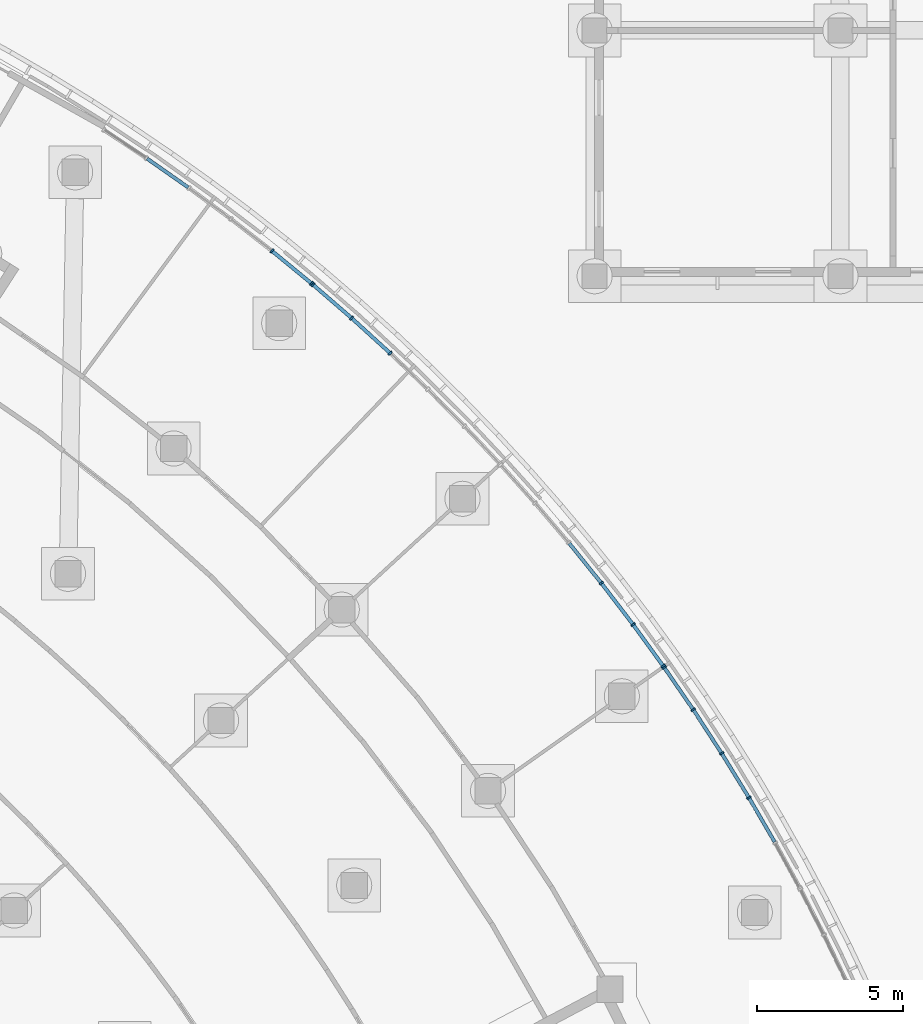
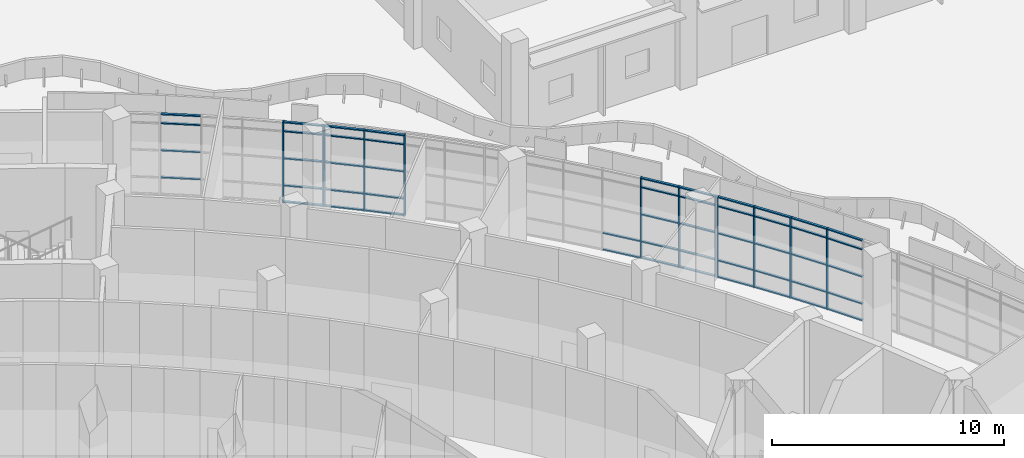
# One storey, part 37 of 146: 63 members, 4 elements without a shape of their own.
"""IFC4 building model written with IfcOpenShell, lengths in metres."""

import ifcopenshell
import ifcopenshell.guid

model = None  # the IFC model being written
_history = None  # IfcOwnerHistory: only IFC2X3 demands one
_inside = {}  # id of a spatial element -> (the spatial element, [elements in it])
_under = {}  # id of a project, library or spatial element -> (it, [spatial elements below it])
_declared = {}  # id of a project -> (the project, [libraries it declares])
_typed = {}  # id of a type object -> (the type object, [elements of that type])
_made_of = {}  # id of a material, layer set ... -> (it, [elements and type objects made of it])


def new_model(schema):
    """Start an empty IFC model of exactly this schema.

    Asked for "IFC4X3", IfcOpenShell would pick the latest addendum, in which some entities
    have other attributes; the version numbers below select the first issue.
    IFC2X3 requires an IfcOwnerHistory on every rooted entity: one is made here for all.
    """
    global model, _history
    if schema == "IFC4X3":
        model = ifcopenshell.file(schema_version=(4, 3, 0, 0))
    else:
        model = ifcopenshell.file(schema=schema)
    _inside.clear()
    _under.clear()
    _declared.clear()
    _typed.clear()
    _made_of.clear()
    _history = None
    if model.schema == "IFC2X3":
        org = make("IfcOrganization", Name="unknown")
        user = make(
            "IfcPersonAndOrganization",
            ThePerson=make("IfcPerson", FamilyName="unknown"),
            TheOrganization=org,
        )
        app = make(
            "IfcApplication",
            ApplicationDeveloper=org,
            Version="unknown",
            ApplicationFullName="unknown",
            ApplicationIdentifier="unknown",
        )
        _history = make(
            "IfcOwnerHistory",
            OwningUser=user,
            OwningApplication=app,
            ChangeAction="ADDED",
            CreationDate=0,
        )
    return model


def make(cls, **values):
    """One entity of the class cls with the attributes given. An attribute that is None is left unset."""
    return model.create_entity(
        cls, **{name: value for name, value in values.items() if value is not None}
    )


def rooted(cls, **values):
    """An entity with a GlobalId (a new one), such as an element, a storey or a relation."""
    return make(cls, GlobalId=ifcopenshell.guid.new(), OwnerHistory=_history, **values)


def si_unit(unit_type, name, prefix=None):
    """IfcSIUnit, for example si_unit("LENGTHUNIT", "METRE", prefix="MILLI")."""
    return make("IfcSIUnit", UnitType=unit_type, Prefix=prefix, Name=name)


def assignment(units):
    """IfcUnitAssignment: the units of a project."""
    return None if units is None else make("IfcUnitAssignment", Units=units)


def point(xyz):
    """IfcCartesianPoint."""
    return None if xyz is None else make("IfcCartesianPoint", Coordinates=xyz)


def direction(xyz):
    """IfcDirection."""
    return None if xyz is None else make("IfcDirection", DirectionRatios=xyz)


def frame(location, z_axis=None, x_axis=None):
    """IfcAxis2Placement3D, a coordinate frame: its origin and axes. An axis left out is left unset."""
    return make(
        "IfcAxis2Placement3D",
        Location=point(location),
        Axis=direction(z_axis),
        RefDirection=direction(x_axis),
    )


def frame_2d(location, x_axis=None):
    """IfcAxis2Placement2D, a coordinate frame in the plane: its origin and x axis."""
    return make(
        "IfcAxis2Placement2D", Location=point(location), RefDirection=direction(x_axis)
    )


def origin():
    """The frame at (0, 0, 0) with its axes left unset."""
    return frame((0.0, 0.0, 0.0))


def origin_2d():
    """The frame at (0, 0) in the plane with its x axis left unset."""
    return frame_2d((0.0, 0.0))


def place(relative_to, where):
    """IfcLocalPlacement: puts the frame where relative to a parent placement (None: the world)."""
    return make(
        "IfcLocalPlacement", PlacementRelTo=relative_to, RelativePlacement=where
    )


def context(
    kind, dimensions, precision=None, world=None, true_north=None, identifier=None
):
    """IfcGeometricRepresentationContext, for example the 3D "Model" context."""
    return make(
        "IfcGeometricRepresentationContext",
        ContextIdentifier=identifier,
        ContextType=kind,
        CoordinateSpaceDimension=dimensions,
        Precision=precision,
        WorldCoordinateSystem=world,
        TrueNorth=true_north,
    )


def subcontext(parent, identifier, kind, view, scale=None):
    """IfcGeometricRepresentationSubContext, for example "Body" below "Model"."""
    return make(
        "IfcGeometricRepresentationSubContext",
        ContextIdentifier=identifier,
        ContextType=kind,
        ParentContext=parent,
        TargetScale=scale,
        TargetView=view,
    )


def project(units=None, contexts=None):
    """IfcProject with its units and contexts."""
    return rooted(
        "IfcProject",
        Name="project",
        RepresentationContexts=contexts,
        UnitsInContext=assignment(units),
    )


def spatial(cls, under=None, at=None, **own):
    """A site, building, storey or space (cls), placed at a placement, below another one or the project."""
    s = rooted(cls, ObjectPlacement=at, **own)
    if under is not None:
        _under.setdefault(under.id(), (under, []))[1].append(s)
    return s


def profile(cls, at=None, kind="AREA", **sizes):
    """A parametric profile (cls). Its sizes go by their IFC names, for example OverallWidth=200.0."""
    return make(cls, ProfileType=kind, Position=at, **sizes)


def rectangle(**sizes):
    """IfcRectangleProfileDef."""
    return profile("IfcRectangleProfileDef", **sizes)


def extrude(swept, where, along, depth):
    """IfcExtrudedAreaSolid: the profile swept, set in the frame where, extruded along a direction by depth."""
    return make(
        "IfcExtrudedAreaSolid",
        SweptArea=swept,
        Position=where,
        ExtrudedDirection=direction(along),
        Depth=depth,
    )


def shape(context_of_items, identifier, shape_type, items):
    """IfcShapeRepresentation: the items that make up one representation, for example the "Body"."""
    return make(
        "IfcShapeRepresentation",
        ContextOfItems=context_of_items,
        RepresentationIdentifier=identifier,
        RepresentationType=shape_type,
        Items=items,
    )


def material(Name=None, Category=None):
    """IfcMaterial."""
    return make("IfcMaterial", Name=Name, Category=Category)


def material_profile(
    of_material, cross_section, Name=None, Category=None, Priority=None
):
    """IfcMaterialProfile: a cross section and its material."""
    return make(
        "IfcMaterialProfile",
        Name=Name,
        Material=of_material,
        Profile=cross_section,
        Priority=Priority,
        Category=Category,
    )


def profile_set(profiles, Name=None, composite=None):
    """IfcMaterialProfileSet."""
    return make(
        "IfcMaterialProfileSet",
        Name=Name,
        MaterialProfiles=profiles,
        CompositeProfile=composite,
    )


def made_of(thing, what):
    """Note that an element or type object is made of a material, layer set ...; save() writes the relation."""
    if what is not None:
        _made_of.setdefault(what.id(), (what, []))[1].append(thing)
    return thing


def type_object(cls, material=None, **own):
    """A type object (cls), such as IfcWallType, which elements share."""
    return made_of(rooted(cls, **own), material)


def element(
    cls,
    number,
    at=None,
    inside=None,
    cuts=None,
    type_object=None,
    material=None,
    context=None,
    identifier="Body",
    shape_type=None,
    held_by="IfcProductDefinitionShape",
    body=None,
    shapes=None,
    **own,
):
    """One element of the class cls, such as IfcWall. Its Tag is "e" and its number.

    at: its placement. inside: the storey or other place that contains it. cuts: it is an
    opening in that element (IfcRelVoidsElement). A single representation is given by context,
    identifier, shape_type and body (its items); several are given by shapes. held_by: the class
    of the entity that holds the representations. save() writes the other relations.
    """
    e = rooted(cls, Tag="e%d" % number, ObjectPlacement=at, **own)
    if body is not None:
        shapes = [shape(context, identifier, shape_type, body)]
    if shapes is not None:
        e.Representation = make(held_by, Representations=shapes)
    if inside is not None:
        _inside.setdefault(inside.id(), (inside, []))[1].append(e)
    if cuts is not None:
        rooted(
            "IfcRelVoidsElement", RelatingBuildingElement=cuts, RelatedOpeningElement=e
        )
    if type_object is not None:
        _typed.setdefault(type_object.id(), (type_object, []))[1].append(e)
    return made_of(e, material)


def aggregate(whole, parts):
    """IfcRelAggregates: a whole, such as a stair, and the parts it consists of."""
    return rooted("IfcRelAggregates", RelatingObject=whole, RelatedObjects=parts)


def save(model, path):
    """Write the relations noted so far, then the file.

    IfcRelAggregates (storeys below a building ...), IfcRelContainedInSpatialStructure (elements
    in a storey), IfcRelDefinesByType, IfcRelAssociatesMaterial and IfcRelDeclares: one each for
    every whole, place, type object, material and project.
    """
    for whole, parts in _under.values():
        aggregate(whole, parts)
    for where, things in _inside.values():
        rooted(
            "IfcRelContainedInSpatialStructure",
            RelatedElements=things,
            RelatingStructure=where,
        )
    for kind, things in _typed.values():
        rooted("IfcRelDefinesByType", RelatedObjects=things, RelatingType=kind)
    for what, things in _made_of.values():
        rooted("IfcRelAssociatesMaterial", RelatedObjects=things, RelatingMaterial=what)
    for by, libraries in _declared.values():
        rooted("IfcRelDeclares", RelatingContext=by, RelatedDefinitions=libraries)
    model.write(path)


model = new_model("IFC4")

# Units and contexts
model_context = context("Model", 3, precision=1e-05, world=origin(), true_north=direction((0.0, 1.0)))
body_context = subcontext(model_context, "Body", "Model", "MODEL_VIEW")
ifc_project = project(units=[si_unit("LENGTHUNIT", "METRE"), si_unit("AREAUNIT", "SQUARE_METRE"), si_unit("VOLUMEUNIT", "CUBIC_METRE"), si_unit("PLANEANGLEUNIT", "RADIAN"), si_unit("MASSUNIT", "GRAM", prefix="KILO")], contexts=[model_context])

# Site, building, storey
site_placement = place(None, origin())
site = spatial("IfcSite", under=ifc_project, at=site_placement, CompositionType="ELEMENT")
building_placement = place(site_placement, origin())
building = spatial("IfcBuilding", under=site, at=building_placement, Name="Bougainvillea Quay General Hospital", CompositionType="ELEMENT")
storey_placement = place(building_placement, origin())
storey = spatial("IfcBuildingStorey", under=building, at=storey_placement, Name="L00", CompositionType="ELEMENT", Elevation=0.0)

# Curtain wall, members
ifc_material_1 = material(Name="Aluminium curtain wall system, powder-coated glazed", Category="aluminium")
curtain_wall_type = type_object("IfcCurtainWallType", Name="Unitised curtain wall CW-2100", PredefinedType="NOTDEFINED", material=ifc_material_1)
curtain_wall_1_placement = place(storey_placement, origin())
curtain_wall_1 = element("IfcCurtainWall", 1, at=curtain_wall_1_placement, inside=storey, type_object=curtain_wall_type, Name="CW-E02 a23b1", PredefinedType="NOTDEFINED")
ifc_material_2 = material(Name="Aluminium mullion, powder-coated charcoal", Category="aluminium")
ifc_material_profile_1 = material_profile(ifc_material_2, rectangle(XDim=0.159912109375, YDim=0.06005859375, at=origin_2d()))
ifc_profile_set_1 = profile_set([ifc_material_profile_1], Name="Aluminium mullion, powder-coated charcoal")
member_type_1 = type_object("IfcMemberType", Name="Curtain wall mullion 160x60", PredefinedType="MULLION", material=ifc_profile_set_1)
member_1_placement = place(storey_placement, frame((152.7744140625, 76.464599609375, 0.0), z_axis=(0.0, 0.0, 1.0), x_axis=(0.624719466473, 0.780849273682, 0.0)))
member_1 = element("IfcMember", 2, at=member_1_placement, type_object=member_type_1, Name="CW-E02 mullion 5", PredefinedType="MULLION", context=body_context, shape_type="SweptSolid", body=[
    extrude(rectangle(XDim=0.159912109375, YDim=0.06005859375, at=origin_2d()), origin(), (0.0, 0.0, 1.0), 4.25),
])
member_2_placement = place(storey_placement, frame((154.127197265625, 75.353759765625, 0.0), z_axis=(0.0, 0.0, 1.0), x_axis=(0.634633403626, 0.772813329985, 0.0)))
member_2 = element("IfcMember", 3, at=member_2_placement, type_object=member_type_1, Name="CW-E02 mullion 6", PredefinedType="MULLION", context=body_context, shape_type="SweptSolid", body=[
    extrude(rectangle(XDim=0.159912109375, YDim=0.06005859375, at=origin_2d()), origin(), (0.0, 0.0, 1.0), 4.25),
])

curtain_wall_2_placement = place(storey_placement, origin())
curtain_wall_2 = element("IfcCurtainWall", 4, at=curtain_wall_2_placement, inside=storey, type_object=curtain_wall_type, Name="CW-E03 a23b2", PredefinedType="NOTDEFINED")
member_3_placement = place(storey_placement, frame((154.1728515625, 75.315185546875, 0.0), z_axis=(0.0, 0.0, 1.0), x_axis=(0.65414960613, 0.756365184815, 0.0)))
member_3 = element("IfcMember", 5, at=member_3_placement, type_object=member_type_1, Name="CW-E03 mullion 1", PredefinedType="MULLION", context=body_context, shape_type="SweptSolid", body=[
    extrude(rectangle(XDim=0.159912109375, YDim=0.06005859375, at=origin_2d()), origin(), (0.0, 0.0, 1.0), 4.25),
])
member_4_placement = place(storey_placement, frame((155.496826171875, 74.170166015625, 0.0), z_axis=(0.0, 0.0, 1.0), x_axis=(0.663748693022, 0.747955662129, 0.0)))
member_4 = element("IfcMember", 6, at=member_4_placement, type_object=member_type_1, Name="CW-E03 mullion 2", PredefinedType="MULLION", context=body_context, shape_type="SweptSolid", body=[
    extrude(rectangle(XDim=0.159912109375, YDim=0.06005859375, at=origin_2d()), origin(), (0.0, 0.0, 1.0), 4.25),
])
member_5_placement = place(storey_placement, frame((156.813232421875, 72.9716796875, 0.0), z_axis=(0.0, 0.0, 1.0), x_axis=(0.682621021685, 0.730772564314, 0.0)))
member_5 = element("IfcMember", 7, at=member_5_placement, type_object=member_type_1, Name="CW-E03 mullion 3", PredefinedType="MULLION", context=body_context, shape_type="SweptSolid", body=[
    extrude(rectangle(XDim=0.159912109375, YDim=0.06005859375, at=origin_2d()), origin(), (0.0, 0.0, 1.0), 4.25),
])

curtain_wall_3_placement = place(storey_placement, origin())
curtain_wall_3 = element("IfcCurtainWall", 8, at=curtain_wall_3_placement, inside=storey, type_object=curtain_wall_type, Name="CW-E04 a23b3", PredefinedType="NOTDEFINED")
member_6_placement = place(storey_placement, frame((164.03125, 65.112060546875, 0.0), z_axis=(0.0, 0.0, 1.0), x_axis=(0.786107232438, 0.618090138337, 0.0)))
member_6 = element("IfcMember", 9, at=member_6_placement, type_object=member_type_1, Name="CW-E04 mullion 4", PredefinedType="MULLION", context=body_context, shape_type="SweptSolid", body=[
    extrude(rectangle(XDim=0.159912109375, YDim=0.06005859375, at=origin_2d()), origin(), (0.0, 0.0, 1.0), 4.25),
])
member_7_placement = place(storey_placement, frame((165.11376953125, 63.69873046875, 0.0), z_axis=(0.0, 0.0, 1.0), x_axis=(0.801625419341, 0.597826636297, 0.0)))
member_7 = element("IfcMember", 10, at=member_7_placement, type_object=member_type_1, Name="CW-E04 mullion 5", PredefinedType="MULLION", context=body_context, shape_type="SweptSolid", body=[
    extrude(rectangle(XDim=0.159912109375, YDim=0.06005859375, at=origin_2d()), origin(), (0.0, 0.0, 1.0), 4.25),
])
member_8_placement = place(storey_placement, frame((166.14208984375, 62.282470703125, 0.0), z_axis=(0.0, 0.0, 1.0), x_axis=(0.809189307232, 0.587548010856, 0.0)))
member_8 = element("IfcMember", 11, at=member_8_placement, type_object=member_type_1, Name="CW-E04 mullion 6", PredefinedType="MULLION", context=body_context, shape_type="SweptSolid", body=[
    extrude(rectangle(XDim=0.159912109375, YDim=0.06005859375, at=origin_2d()), origin(), (0.0, 0.0, 1.0), 4.25),
])

curtain_wall_4_placement = place(storey_placement, origin())
curtain_wall_4 = element("IfcCurtainWall", 12, at=curtain_wall_4_placement, inside=storey, type_object=curtain_wall_type, Name="CW-E05 a23b4", PredefinedType="NOTDEFINED")
member_9_placement = place(storey_placement, frame((166.1767578125, 62.2333984375, 0.0), z_axis=(0.0, 0.0, 1.0), x_axis=(0.823920512723, 0.566705380876, 0.0)))
member_9 = element("IfcMember", 13, at=member_9_placement, type_object=member_type_1, Name="CW-E05 mullion 1", PredefinedType="MULLION", context=body_context, shape_type="SweptSolid", body=[
    extrude(rectangle(XDim=0.159912109375, YDim=0.06005859375, at=origin_2d()), origin(), (0.0, 0.0, 1.0), 4.25),
])
member_10_placement = place(storey_placement, frame((167.168701171875, 60.791259765625, 0.0), z_axis=(0.0, 0.0, 1.0), x_axis=(0.831085431161, 0.556144770821, 0.0)))
member_10 = element("IfcMember", 14, at=member_10_placement, type_object=member_type_1, Name="CW-E05 mullion 2", PredefinedType="MULLION", context=body_context, shape_type="SweptSolid", body=[
    extrude(rectangle(XDim=0.159912109375, YDim=0.06005859375, at=origin_2d()), origin(), (0.0, 0.0, 1.0), 4.25),
])
member_11_placement = place(storey_placement, frame((168.1396484375, 59.29931640625, 0.0), z_axis=(0.0, 0.0, 1.0), x_axis=(0.84500806513, 0.534753559937, 0.0)))
member_11 = element("IfcMember", 15, at=member_11_placement, type_object=member_type_1, Name="CW-E05 mullion 3", PredefinedType="MULLION", context=body_context, shape_type="SweptSolid", body=[
    extrude(rectangle(XDim=0.159912109375, YDim=0.06005859375, at=origin_2d()), origin(), (0.0, 0.0, 1.0), 4.25),
])
member_12_placement = place(storey_placement, frame((169.072509765625, 57.782958984375, 0.0), z_axis=(0.0, 0.0, 1.0), x_axis=(0.858380240869, 0.513013997943, 0.0)))
member_12 = element("IfcMember", 16, at=member_12_placement, type_object=member_type_1, Name="CW-E05 mullion 4", PredefinedType="MULLION", context=body_context, shape_type="SweptSolid", body=[
    extrude(rectangle(XDim=0.159912109375, YDim=0.06005859375, at=origin_2d()), origin(), (0.0, 0.0, 1.0), 4.25),
])

# Member
ifc_material_3 = material(Name="Aluminium transom, powder-coated charcoal", Category="aluminium")
ifc_material_profile_2 = material_profile(ifc_material_3, rectangle(XDim=0.1201171875, YDim=0.06005859375, at=origin_2d()))
ifc_profile_set_2 = profile_set([ifc_material_profile_2], Name="Aluminium transom, powder-coated charcoal")
member_type_2 = type_object("IfcMemberType", Name="Curtain wall transom 120x60", PredefinedType="USERDEFINED", material=ifc_profile_set_2)
member_13_placement = place(storey_placement, frame((148.505126953125, 79.62109375, 0.89990234375), z_axis=(0.819078530526, -0.573681410568, 0.0), x_axis=(0.573681410568, 0.819078530526, 0.0)))
member_13 = element("IfcMember", 17, at=member_13_placement, type_object=member_type_2, Name="CW-E02 transom 2.2", ObjectType="TRANSOM", PredefinedType="USERDEFINED", context=body_context, shape_type="SweptSolid", body=[
    extrude(rectangle(XDim=0.1201171875, YDim=0.06005859375, at=origin_2d()), origin(), (0.0, 0.0, 1.0), 1.72021484375),
])

member_14_placement = place(storey_placement, frame((148.505126953125, 79.62109375, 2.324951171875), z_axis=(0.819078530526, -0.573681410568, 0.0), x_axis=(0.573681410568, 0.819078530526, 0.0)))
member_14 = element("IfcMember", 18, at=member_14_placement, type_object=member_type_2, Name="CW-E02 transom 2.3", ObjectType="TRANSOM", PredefinedType="USERDEFINED", context=body_context, shape_type="SweptSolid", body=[
    extrude(rectangle(XDim=0.1201171875, YDim=0.06005859375, at=origin_2d()), origin(), (0.0, 0.0, 1.0), 1.72021484375),
])

member_15_placement = place(storey_placement, frame((148.505126953125, 79.62109375, 3.75), z_axis=(0.819078530526, -0.573681410568, 0.0), x_axis=(0.573681410568, 0.819078530526, 0.0)))
member_15 = element("IfcMember", 19, at=member_15_placement, type_object=member_type_2, Name="CW-E02 transom 2.4", ObjectType="TRANSOM", PredefinedType="USERDEFINED", context=body_context, shape_type="SweptSolid", body=[
    extrude(rectangle(XDim=0.1201171875, YDim=0.06005859375, at=origin_2d()), origin(), (0.0, 0.0, 1.0), 1.72021484375),
])

member_16_placement = place(storey_placement, frame((148.505126953125, 79.62109375, 4.219970703125), z_axis=(0.819078530526, -0.573681410568, 0.0), x_axis=(0.573681410568, 0.819078530526, 0.0)))
member_16 = element("IfcMember", 20, at=member_16_placement, type_object=member_type_2, Name="CW-E02 transom 2.5", ObjectType="TRANSOM", PredefinedType="USERDEFINED", context=body_context, shape_type="SweptSolid", body=[
    extrude(rectangle(XDim=0.1201171875, YDim=0.06005859375, at=origin_2d()), origin(), (0.0, 0.0, 1.0), 1.72021484375),
])

member_17_placement = place(storey_placement, frame((152.797607421875, 76.445556640625, 0.030029296875), z_axis=(0.7728299722, -0.634613137329, 0.0), x_axis=(0.634613137329, 0.7728299722, 0.0)))
member_17 = element("IfcMember", 21, at=member_17_placement, type_object=member_type_2, Name="CW-E02 transom 5.1", ObjectType="TRANSOM", PredefinedType="USERDEFINED", context=body_context, shape_type="SweptSolid", body=[
    extrude(rectangle(XDim=0.1201171875, YDim=0.06005859375, at=origin_2d()), origin(), (0.0, 0.0, 1.0), 1.6904296875),
])

member_18_placement = place(storey_placement, frame((152.797607421875, 76.445556640625, 0.89990234375), z_axis=(0.7728299722, -0.634613137329, 0.0), x_axis=(0.634613137329, 0.7728299722, 0.0)))
member_18 = element("IfcMember", 22, at=member_18_placement, type_object=member_type_2, Name="CW-E02 transom 5.2", ObjectType="TRANSOM", PredefinedType="USERDEFINED", context=body_context, shape_type="SweptSolid", body=[
    extrude(rectangle(XDim=0.1201171875, YDim=0.06005859375, at=origin_2d()), origin(), (0.0, 0.0, 1.0), 1.6904296875),
])

member_19_placement = place(storey_placement, frame((152.797607421875, 76.445556640625, 2.324951171875), z_axis=(0.7728299722, -0.634613137329, 0.0), x_axis=(0.634613137329, 0.7728299722, 0.0)))
member_19 = element("IfcMember", 23, at=member_19_placement, type_object=member_type_2, Name="CW-E02 transom 5.3", ObjectType="TRANSOM", PredefinedType="USERDEFINED", context=body_context, shape_type="SweptSolid", body=[
    extrude(rectangle(XDim=0.1201171875, YDim=0.06005859375, at=origin_2d()), origin(), (0.0, 0.0, 1.0), 1.6904296875),
])

member_20_placement = place(storey_placement, frame((152.797607421875, 76.445556640625, 3.75), z_axis=(0.7728299722, -0.634613137329, 0.0), x_axis=(0.634613137329, 0.7728299722, 0.0)))
member_20 = element("IfcMember", 24, at=member_20_placement, type_object=member_type_2, Name="CW-E02 transom 5.4", ObjectType="TRANSOM", PredefinedType="USERDEFINED", context=body_context, shape_type="SweptSolid", body=[
    extrude(rectangle(XDim=0.1201171875, YDim=0.06005859375, at=origin_2d()), origin(), (0.0, 0.0, 1.0), 1.6904296875),
])

member_21_placement = place(storey_placement, frame((152.797607421875, 76.445556640625, 4.219970703125), z_axis=(0.7728299722, -0.634613137329, 0.0), x_axis=(0.634613137329, 0.7728299722, 0.0)))
member_21 = element("IfcMember", 25, at=member_21_placement, type_object=member_type_2, Name="CW-E02 transom 5.5", ObjectType="TRANSOM", PredefinedType="USERDEFINED", context=body_context, shape_type="SweptSolid", body=[
    extrude(rectangle(XDim=0.1201171875, YDim=0.06005859375, at=origin_2d()), origin(), (0.0, 0.0, 1.0), 1.6904296875),
])

aggregate(curtain_wall_1, [member_1, member_2, member_13, member_14, member_15, member_16, member_17, member_18, member_19, member_20, member_21])

member_22_placement = place(storey_placement, frame((154.195556640625, 75.295654296875, 0.030029296875), z_axis=(0.756384417211, -0.654127367873, 0.0), x_axis=(0.654127367873, 0.756384417211, 0.0)))
member_22 = element("IfcMember", 26, at=member_22_placement, type_object=member_type_2, Name="CW-E03 transom 1.1", ObjectType="TRANSOM", PredefinedType="USERDEFINED", context=body_context, shape_type="SweptSolid", body=[
    extrude(rectangle(XDim=0.1201171875, YDim=0.06005859375, at=origin_2d()), origin(), (0.0, 0.0, 1.0), 1.6904296875),
])

member_23_placement = place(storey_placement, frame((154.195556640625, 75.295654296875, 0.89990234375), z_axis=(0.756384417211, -0.654127367873, 0.0), x_axis=(0.654127367873, 0.756384417211, 0.0)))
member_23 = element("IfcMember", 27, at=member_23_placement, type_object=member_type_2, Name="CW-E03 transom 1.2", ObjectType="TRANSOM", PredefinedType="USERDEFINED", context=body_context, shape_type="SweptSolid", body=[
    extrude(rectangle(XDim=0.1201171875, YDim=0.06005859375, at=origin_2d()), origin(), (0.0, 0.0, 1.0), 1.6904296875),
])

member_24_placement = place(storey_placement, frame((154.195556640625, 75.295654296875, 2.324951171875), z_axis=(0.756384417211, -0.654127367873, 0.0), x_axis=(0.654127367873, 0.756384417211, 0.0)))
member_24 = element("IfcMember", 28, at=member_24_placement, type_object=member_type_2, Name="CW-E03 transom 1.3", ObjectType="TRANSOM", PredefinedType="USERDEFINED", context=body_context, shape_type="SweptSolid", body=[
    extrude(rectangle(XDim=0.1201171875, YDim=0.06005859375, at=origin_2d()), origin(), (0.0, 0.0, 1.0), 1.6904296875),
])

member_25_placement = place(storey_placement, frame((154.195556640625, 75.295654296875, 3.75), z_axis=(0.756384417211, -0.654127367873, 0.0), x_axis=(0.654127367873, 0.756384417211, 0.0)))
member_25 = element("IfcMember", 29, at=member_25_placement, type_object=member_type_2, Name="CW-E03 transom 1.4", ObjectType="TRANSOM", PredefinedType="USERDEFINED", context=body_context, shape_type="SweptSolid", body=[
    extrude(rectangle(XDim=0.1201171875, YDim=0.06005859375, at=origin_2d()), origin(), (0.0, 0.0, 1.0), 1.6904296875),
])

member_26_placement = place(storey_placement, frame((154.195556640625, 75.295654296875, 4.219970703125), z_axis=(0.756384417211, -0.654127367873, 0.0), x_axis=(0.654127367873, 0.756384417211, 0.0)))
member_26 = element("IfcMember", 30, at=member_26_placement, type_object=member_type_2, Name="CW-E03 transom 1.5", ObjectType="TRANSOM", PredefinedType="USERDEFINED", context=body_context, shape_type="SweptSolid", body=[
    extrude(rectangle(XDim=0.1201171875, YDim=0.06005859375, at=origin_2d()), origin(), (0.0, 0.0, 1.0), 1.6904296875),
])

member_27_placement = place(storey_placement, frame((155.51904296875, 74.150146484375, 0.030029296875), z_axis=(0.739400413082, -0.673265942354, 0.0), x_axis=(0.673265942354, 0.739400413082, 0.0)))
member_27 = element("IfcMember", 31, at=member_27_placement, type_object=member_type_2, Name="CW-E03 transom 2.1", ObjectType="TRANSOM", PredefinedType="USERDEFINED", context=body_context, shape_type="SweptSolid", body=[
    extrude(rectangle(XDim=0.1201171875, YDim=0.06005859375, at=origin_2d()), origin(), (0.0, 0.0, 1.0), 1.72021484375),
])

member_28_placement = place(storey_placement, frame((155.51904296875, 74.150146484375, 0.89990234375), z_axis=(0.739400413082, -0.673265942354, 0.0), x_axis=(0.673265942354, 0.739400413082, 0.0)))
member_28 = element("IfcMember", 32, at=member_28_placement, type_object=member_type_2, Name="CW-E03 transom 2.2", ObjectType="TRANSOM", PredefinedType="USERDEFINED", context=body_context, shape_type="SweptSolid", body=[
    extrude(rectangle(XDim=0.1201171875, YDim=0.06005859375, at=origin_2d()), origin(), (0.0, 0.0, 1.0), 1.72021484375),
])

member_29_placement = place(storey_placement, frame((155.51904296875, 74.150146484375, 2.324951171875), z_axis=(0.739400413082, -0.673265942354, 0.0), x_axis=(0.673265942354, 0.739400413082, 0.0)))
member_29 = element("IfcMember", 33, at=member_29_placement, type_object=member_type_2, Name="CW-E03 transom 2.3", ObjectType="TRANSOM", PredefinedType="USERDEFINED", context=body_context, shape_type="SweptSolid", body=[
    extrude(rectangle(XDim=0.1201171875, YDim=0.06005859375, at=origin_2d()), origin(), (0.0, 0.0, 1.0), 1.72021484375),
])

member_30_placement = place(storey_placement, frame((155.51904296875, 74.150146484375, 3.75), z_axis=(0.739400413082, -0.673265942354, 0.0), x_axis=(0.673265942354, 0.739400413082, 0.0)))
member_30 = element("IfcMember", 34, at=member_30_placement, type_object=member_type_2, Name="CW-E03 transom 2.4", ObjectType="TRANSOM", PredefinedType="USERDEFINED", context=body_context, shape_type="SweptSolid", body=[
    extrude(rectangle(XDim=0.1201171875, YDim=0.06005859375, at=origin_2d()), origin(), (0.0, 0.0, 1.0), 1.72021484375),
])

member_31_placement = place(storey_placement, frame((155.51904296875, 74.150146484375, 4.219970703125), z_axis=(0.739400413082, -0.673265942354, 0.0), x_axis=(0.673265942354, 0.739400413082, 0.0)))
member_31 = element("IfcMember", 35, at=member_31_placement, type_object=member_type_2, Name="CW-E03 transom 2.5", ObjectType="TRANSOM", PredefinedType="USERDEFINED", context=body_context, shape_type="SweptSolid", body=[
    extrude(rectangle(XDim=0.1201171875, YDim=0.06005859375, at=origin_2d()), origin(), (0.0, 0.0, 1.0), 1.72021484375),
])

aggregate(curtain_wall_2, [member_3, member_4, member_5, member_22, member_23, member_24, member_25, member_26, member_27, member_28, member_29, member_30, member_31])

member_32_placement = place(storey_placement, frame((162.93212890625, 66.47412109375, 0.030029296875), z_axis=(0.628029823491, -0.778189270554, 0.0), x_axis=(0.778189270554, 0.628029823491, 0.0)))
member_32 = element("IfcMember", 36, at=member_32_placement, type_object=member_type_2, Name="CW-E04 transom 3.1", ObjectType="TRANSOM", PredefinedType="USERDEFINED", context=body_context, shape_type="SweptSolid", body=[
    extrude(rectangle(XDim=0.1201171875, YDim=0.06005859375, at=origin_2d()), origin(), (0.0, 0.0, 1.0), 1.72021484375),
])

member_33_placement = place(storey_placement, frame((162.93212890625, 66.47412109375, 0.89990234375), z_axis=(0.628029823491, -0.778189270554, 0.0), x_axis=(0.778189270554, 0.628029823491, 0.0)))
member_33 = element("IfcMember", 37, at=member_33_placement, type_object=member_type_2, Name="CW-E04 transom 3.2", ObjectType="TRANSOM", PredefinedType="USERDEFINED", context=body_context, shape_type="SweptSolid", body=[
    extrude(rectangle(XDim=0.1201171875, YDim=0.06005859375, at=origin_2d()), origin(), (0.0, 0.0, 1.0), 1.72021484375),
])

member_34_placement = place(storey_placement, frame((164.049560546875, 65.08837890625, 0.030029296875), z_axis=(0.607939858347, -0.793983078304, 0.0), x_axis=(0.793983078304, 0.607939858347, 0.0)))
member_34 = element("IfcMember", 38, at=member_34_placement, type_object=member_type_2, Name="CW-E04 transom 4.1", ObjectType="TRANSOM", PredefinedType="USERDEFINED", context=body_context, shape_type="SweptSolid", body=[
    extrude(rectangle(XDim=0.1201171875, YDim=0.06005859375, at=origin_2d()), origin(), (0.0, 0.0, 1.0), 1.720458984375),
])

member_35_placement = place(storey_placement, frame((164.049560546875, 65.08837890625, 0.89990234375), z_axis=(0.607939858347, -0.793983078304, 0.0), x_axis=(0.793983078304, 0.607939858347, 0.0)))
member_35 = element("IfcMember", 39, at=member_35_placement, type_object=member_type_2, Name="CW-E04 transom 4.2", ObjectType="TRANSOM", PredefinedType="USERDEFINED", context=body_context, shape_type="SweptSolid", body=[
    extrude(rectangle(XDim=0.1201171875, YDim=0.06005859375, at=origin_2d()), origin(), (0.0, 0.0, 1.0), 1.720458984375),
])

member_36_placement = place(storey_placement, frame((164.049560546875, 65.08837890625, 2.324951171875), z_axis=(0.607939858347, -0.793983078304, 0.0), x_axis=(0.793983078304, 0.607939858347, 0.0)))
member_36 = element("IfcMember", 40, at=member_36_placement, type_object=member_type_2, Name="CW-E04 transom 4.3", ObjectType="TRANSOM", PredefinedType="USERDEFINED", context=body_context, shape_type="SweptSolid", body=[
    extrude(rectangle(XDim=0.1201171875, YDim=0.06005859375, at=origin_2d()), origin(), (0.0, 0.0, 1.0), 1.720458984375),
])

member_37_placement = place(storey_placement, frame((164.049560546875, 65.08837890625, 3.75), z_axis=(0.607939858347, -0.793983078304, 0.0), x_axis=(0.793983078304, 0.607939858347, 0.0)))
member_37 = element("IfcMember", 41, at=member_37_placement, type_object=member_type_2, Name="CW-E04 transom 4.4", ObjectType="TRANSOM", PredefinedType="USERDEFINED", context=body_context, shape_type="SweptSolid", body=[
    extrude(rectangle(XDim=0.1201171875, YDim=0.06005859375, at=origin_2d()), origin(), (0.0, 0.0, 1.0), 1.720458984375),
])

member_38_placement = place(storey_placement, frame((164.049560546875, 65.08837890625, 4.219970703125), z_axis=(0.607939858347, -0.793983078304, 0.0), x_axis=(0.793983078304, 0.607939858347, 0.0)))
member_38 = element("IfcMember", 42, at=member_38_placement, type_object=member_type_2, Name="CW-E04 transom 4.5", ObjectType="TRANSOM", PredefinedType="USERDEFINED", context=body_context, shape_type="SweptSolid", body=[
    extrude(rectangle(XDim=0.1201171875, YDim=0.06005859375, at=origin_2d()), origin(), (0.0, 0.0, 1.0), 1.720458984375),
])

member_39_placement = place(storey_placement, frame((165.13134765625, 63.67431640625, 0.030029296875), z_axis=(0.587587532685, -0.80916060917, 0.0), x_axis=(0.80916060917, 0.587587532685, 0.0)))
member_39 = element("IfcMember", 43, at=member_39_placement, type_object=member_type_2, Name="CW-E04 transom 5.1", ObjectType="TRANSOM", PredefinedType="USERDEFINED", context=body_context, shape_type="SweptSolid", body=[
    extrude(rectangle(XDim=0.1201171875, YDim=0.06005859375, at=origin_2d()), origin(), (0.0, 0.0, 1.0), 1.690185546875),
])

member_40_placement = place(storey_placement, frame((165.13134765625, 63.67431640625, 0.89990234375), z_axis=(0.587587532685, -0.80916060917, 0.0), x_axis=(0.80916060917, 0.587587532685, 0.0)))
member_40 = element("IfcMember", 44, at=member_40_placement, type_object=member_type_2, Name="CW-E04 transom 5.2", ObjectType="TRANSOM", PredefinedType="USERDEFINED", context=body_context, shape_type="SweptSolid", body=[
    extrude(rectangle(XDim=0.1201171875, YDim=0.06005859375, at=origin_2d()), origin(), (0.0, 0.0, 1.0), 1.690185546875),
])

member_41_placement = place(storey_placement, frame((165.13134765625, 63.67431640625, 2.324951171875), z_axis=(0.587587532685, -0.80916060917, 0.0), x_axis=(0.80916060917, 0.587587532685, 0.0)))
member_41 = element("IfcMember", 45, at=member_41_placement, type_object=member_type_2, Name="CW-E04 transom 5.3", ObjectType="TRANSOM", PredefinedType="USERDEFINED", context=body_context, shape_type="SweptSolid", body=[
    extrude(rectangle(XDim=0.1201171875, YDim=0.06005859375, at=origin_2d()), origin(), (0.0, 0.0, 1.0), 1.690185546875),
])

member_42_placement = place(storey_placement, frame((165.13134765625, 63.67431640625, 3.75), z_axis=(0.587587532685, -0.80916060917, 0.0), x_axis=(0.80916060917, 0.587587532685, 0.0)))
member_42 = element("IfcMember", 46, at=member_42_placement, type_object=member_type_2, Name="CW-E04 transom 5.4", ObjectType="TRANSOM", PredefinedType="USERDEFINED", context=body_context, shape_type="SweptSolid", body=[
    extrude(rectangle(XDim=0.1201171875, YDim=0.06005859375, at=origin_2d()), origin(), (0.0, 0.0, 1.0), 1.690185546875),
])

member_43_placement = place(storey_placement, frame((165.13134765625, 63.67431640625, 4.219970703125), z_axis=(0.587587532685, -0.80916060917, 0.0), x_axis=(0.80916060917, 0.587587532685, 0.0)))
member_43 = element("IfcMember", 47, at=member_43_placement, type_object=member_type_2, Name="CW-E04 transom 5.5", ObjectType="TRANSOM", PredefinedType="USERDEFINED", context=body_context, shape_type="SweptSolid", body=[
    extrude(rectangle(XDim=0.1201171875, YDim=0.06005859375, at=origin_2d()), origin(), (0.0, 0.0, 1.0), 1.690185546875),
])

aggregate(curtain_wall_3, [member_6, member_7, member_8, member_32, member_33, member_34, member_35, member_36, member_37, member_38, member_39, member_40, member_41, member_42, member_43])

member_44_placement = place(storey_placement, frame((166.19384765625, 62.208740234375, 0.030029296875), z_axis=(0.566675945588, -0.823940757999, 0.0), x_axis=(0.823940757999, 0.566675945588, 0.0)))
member_44 = element("IfcMember", 48, at=member_44_placement, type_object=member_type_2, Name="CW-E05 transom 1.1", ObjectType="TRANSOM", PredefinedType="USERDEFINED", context=body_context, shape_type="SweptSolid", body=[
    extrude(rectangle(XDim=0.1201171875, YDim=0.06005859375, at=origin_2d()), origin(), (0.0, 0.0, 1.0), 1.690185546875),
])

member_45_placement = place(storey_placement, frame((166.19384765625, 62.208740234375, 0.89990234375), z_axis=(0.566675945588, -0.823940757999, 0.0), x_axis=(0.823940757999, 0.566675945588, 0.0)))
member_45 = element("IfcMember", 49, at=member_45_placement, type_object=member_type_2, Name="CW-E05 transom 1.2", ObjectType="TRANSOM", PredefinedType="USERDEFINED", context=body_context, shape_type="SweptSolid", body=[
    extrude(rectangle(XDim=0.1201171875, YDim=0.06005859375, at=origin_2d()), origin(), (0.0, 0.0, 1.0), 1.690185546875),
])

member_46_placement = place(storey_placement, frame((166.19384765625, 62.208740234375, 2.324951171875), z_axis=(0.566675945588, -0.823940757999, 0.0), x_axis=(0.823940757999, 0.566675945588, 0.0)))
member_46 = element("IfcMember", 50, at=member_46_placement, type_object=member_type_2, Name="CW-E05 transom 1.3", ObjectType="TRANSOM", PredefinedType="USERDEFINED", context=body_context, shape_type="SweptSolid", body=[
    extrude(rectangle(XDim=0.1201171875, YDim=0.06005859375, at=origin_2d()), origin(), (0.0, 0.0, 1.0), 1.690185546875),
])

member_47_placement = place(storey_placement, frame((166.19384765625, 62.208740234375, 3.75), z_axis=(0.566675945588, -0.823940757999, 0.0), x_axis=(0.823940757999, 0.566675945588, 0.0)))
member_47 = element("IfcMember", 51, at=member_47_placement, type_object=member_type_2, Name="CW-E05 transom 1.4", ObjectType="TRANSOM", PredefinedType="USERDEFINED", context=body_context, shape_type="SweptSolid", body=[
    extrude(rectangle(XDim=0.1201171875, YDim=0.06005859375, at=origin_2d()), origin(), (0.0, 0.0, 1.0), 1.690185546875),
])

member_48_placement = place(storey_placement, frame((166.19384765625, 62.208740234375, 4.219970703125), z_axis=(0.566675945588, -0.823940757999, 0.0), x_axis=(0.823940757999, 0.566675945588, 0.0)))
member_48 = element("IfcMember", 52, at=member_48_placement, type_object=member_type_2, Name="CW-E05 transom 1.5", ObjectType="TRANSOM", PredefinedType="USERDEFINED", context=body_context, shape_type="SweptSolid", body=[
    extrude(rectangle(XDim=0.1201171875, YDim=0.06005859375, at=origin_2d()), origin(), (0.0, 0.0, 1.0), 1.690185546875),
])

member_49_placement = place(storey_placement, frame((167.18505859375, 60.76611328125, 0.030029296875), z_axis=(0.545462216901, -0.838135412647, 0.0), x_axis=(0.838135412647, 0.545462216901, 0.0)))
member_49 = element("IfcMember", 53, at=member_49_placement, type_object=member_type_2, Name="CW-E05 transom 2.1", ObjectType="TRANSOM", PredefinedType="USERDEFINED", context=body_context, shape_type="SweptSolid", body=[
    extrude(rectangle(XDim=0.1201171875, YDim=0.06005859375, at=origin_2d()), origin(), (0.0, 0.0, 1.0), 1.719970703125),
])

member_50_placement = place(storey_placement, frame((167.18505859375, 60.76611328125, 0.89990234375), z_axis=(0.545462216901, -0.838135412647, 0.0), x_axis=(0.838135412647, 0.545462216901, 0.0)))
member_50 = element("IfcMember", 54, at=member_50_placement, type_object=member_type_2, Name="CW-E05 transom 2.2", ObjectType="TRANSOM", PredefinedType="USERDEFINED", context=body_context, shape_type="SweptSolid", body=[
    extrude(rectangle(XDim=0.1201171875, YDim=0.06005859375, at=origin_2d()), origin(), (0.0, 0.0, 1.0), 1.719970703125),
])

member_51_placement = place(storey_placement, frame((167.18505859375, 60.76611328125, 2.324951171875), z_axis=(0.545462216901, -0.838135412647, 0.0), x_axis=(0.838135412647, 0.545462216901, 0.0)))
member_51 = element("IfcMember", 55, at=member_51_placement, type_object=member_type_2, Name="CW-E05 transom 2.3", ObjectType="TRANSOM", PredefinedType="USERDEFINED", context=body_context, shape_type="SweptSolid", body=[
    extrude(rectangle(XDim=0.1201171875, YDim=0.06005859375, at=origin_2d()), origin(), (0.0, 0.0, 1.0), 1.719970703125),
])

member_52_placement = place(storey_placement, frame((167.18505859375, 60.76611328125, 3.75), z_axis=(0.545462216901, -0.838135412647, 0.0), x_axis=(0.838135412647, 0.545462216901, 0.0)))
member_52 = element("IfcMember", 56, at=member_52_placement, type_object=member_type_2, Name="CW-E05 transom 2.4", ObjectType="TRANSOM", PredefinedType="USERDEFINED", context=body_context, shape_type="SweptSolid", body=[
    extrude(rectangle(XDim=0.1201171875, YDim=0.06005859375, at=origin_2d()), origin(), (0.0, 0.0, 1.0), 1.719970703125),
])

member_53_placement = place(storey_placement, frame((167.18505859375, 60.76611328125, 4.219970703125), z_axis=(0.545462216901, -0.838135412647, 0.0), x_axis=(0.838135412647, 0.545462216901, 0.0)))
member_53 = element("IfcMember", 57, at=member_53_placement, type_object=member_type_2, Name="CW-E05 transom 2.5", ObjectType="TRANSOM", PredefinedType="USERDEFINED", context=body_context, shape_type="SweptSolid", body=[
    extrude(rectangle(XDim=0.1201171875, YDim=0.06005859375, at=origin_2d()), origin(), (0.0, 0.0, 1.0), 1.719970703125),
])

member_54_placement = place(storey_placement, frame((168.155517578125, 59.273681640625, 0.030029296875), z_axis=(0.523899426945, -0.851780130343, 0.0), x_axis=(0.851780130343, 0.523899426945, 0.0)))
member_54 = element("IfcMember", 58, at=member_54_placement, type_object=member_type_2, Name="CW-E05 transom 3.1", ObjectType="TRANSOM", PredefinedType="USERDEFINED", context=body_context, shape_type="SweptSolid", body=[
    extrude(rectangle(XDim=0.1201171875, YDim=0.06005859375, at=origin_2d()), origin(), (0.0, 0.0, 1.0), 1.719970703125),
])

member_55_placement = place(storey_placement, frame((168.155517578125, 59.273681640625, 0.89990234375), z_axis=(0.523899426945, -0.851780130343, 0.0), x_axis=(0.851780130343, 0.523899426945, 0.0)))
member_55 = element("IfcMember", 59, at=member_55_placement, type_object=member_type_2, Name="CW-E05 transom 3.2", ObjectType="TRANSOM", PredefinedType="USERDEFINED", context=body_context, shape_type="SweptSolid", body=[
    extrude(rectangle(XDim=0.1201171875, YDim=0.06005859375, at=origin_2d()), origin(), (0.0, 0.0, 1.0), 1.719970703125),
])

member_56_placement = place(storey_placement, frame((168.155517578125, 59.273681640625, 2.324951171875), z_axis=(0.523899426945, -0.851780130343, 0.0), x_axis=(0.851780130343, 0.523899426945, 0.0)))
member_56 = element("IfcMember", 60, at=member_56_placement, type_object=member_type_2, Name="CW-E05 transom 3.3", ObjectType="TRANSOM", PredefinedType="USERDEFINED", context=body_context, shape_type="SweptSolid", body=[
    extrude(rectangle(XDim=0.1201171875, YDim=0.06005859375, at=origin_2d()), origin(), (0.0, 0.0, 1.0), 1.719970703125),
])

member_57_placement = place(storey_placement, frame((168.155517578125, 59.273681640625, 3.75), z_axis=(0.523899426945, -0.851780130343, 0.0), x_axis=(0.851780130343, 0.523899426945, 0.0)))
member_57 = element("IfcMember", 61, at=member_57_placement, type_object=member_type_2, Name="CW-E05 transom 3.4", ObjectType="TRANSOM", PredefinedType="USERDEFINED", context=body_context, shape_type="SweptSolid", body=[
    extrude(rectangle(XDim=0.1201171875, YDim=0.06005859375, at=origin_2d()), origin(), (0.0, 0.0, 1.0), 1.719970703125),
])

member_58_placement = place(storey_placement, frame((168.155517578125, 59.273681640625, 4.219970703125), z_axis=(0.523899426945, -0.851780130343, 0.0), x_axis=(0.851780130343, 0.523899426945, 0.0)))
member_58 = element("IfcMember", 62, at=member_58_placement, type_object=member_type_2, Name="CW-E05 transom 3.5", ObjectType="TRANSOM", PredefinedType="USERDEFINED", context=body_context, shape_type="SweptSolid", body=[
    extrude(rectangle(XDim=0.1201171875, YDim=0.06005859375, at=origin_2d()), origin(), (0.0, 0.0, 1.0), 1.719970703125),
])

member_59_placement = place(storey_placement, frame((169.08740234375, 57.757080078125, 0.030029296875), z_axis=(0.502087586524, -0.864816775658, 0.0), x_axis=(0.864816775658, 0.502087586524, 0.0)))
member_59 = element("IfcMember", 63, at=member_59_placement, type_object=member_type_2, Name="CW-E05 transom 4.1", ObjectType="TRANSOM", PredefinedType="USERDEFINED", context=body_context, shape_type="SweptSolid", body=[
    extrude(rectangle(XDim=0.1201171875, YDim=0.06005859375, at=origin_2d()), origin(), (0.0, 0.0, 1.0), 1.720458984375),
])

member_60_placement = place(storey_placement, frame((169.08740234375, 57.757080078125, 0.89990234375), z_axis=(0.502087586524, -0.864816775658, 0.0), x_axis=(0.864816775658, 0.502087586524, 0.0)))
member_60 = element("IfcMember", 64, at=member_60_placement, type_object=member_type_2, Name="CW-E05 transom 4.2", ObjectType="TRANSOM", PredefinedType="USERDEFINED", context=body_context, shape_type="SweptSolid", body=[
    extrude(rectangle(XDim=0.1201171875, YDim=0.06005859375, at=origin_2d()), origin(), (0.0, 0.0, 1.0), 1.720458984375),
])

member_61_placement = place(storey_placement, frame((169.08740234375, 57.757080078125, 2.324951171875), z_axis=(0.502087586524, -0.864816775658, 0.0), x_axis=(0.864816775658, 0.502087586524, 0.0)))
member_61 = element("IfcMember", 65, at=member_61_placement, type_object=member_type_2, Name="CW-E05 transom 4.3", ObjectType="TRANSOM", PredefinedType="USERDEFINED", context=body_context, shape_type="SweptSolid", body=[
    extrude(rectangle(XDim=0.1201171875, YDim=0.06005859375, at=origin_2d()), origin(), (0.0, 0.0, 1.0), 1.720458984375),
])

member_62_placement = place(storey_placement, frame((169.08740234375, 57.757080078125, 3.75), z_axis=(0.502087586524, -0.864816775658, 0.0), x_axis=(0.864816775658, 0.502087586524, 0.0)))
member_62 = element("IfcMember", 66, at=member_62_placement, type_object=member_type_2, Name="CW-E05 transom 4.4", ObjectType="TRANSOM", PredefinedType="USERDEFINED", context=body_context, shape_type="SweptSolid", body=[
    extrude(rectangle(XDim=0.1201171875, YDim=0.06005859375, at=origin_2d()), origin(), (0.0, 0.0, 1.0), 1.720458984375),
])

member_63_placement = place(storey_placement, frame((169.08740234375, 57.757080078125, 4.219970703125), z_axis=(0.502087586524, -0.864816775658, 0.0), x_axis=(0.864816775658, 0.502087586524, 0.0)))
member_63 = element("IfcMember", 67, at=member_63_placement, type_object=member_type_2, Name="CW-E05 transom 4.5", ObjectType="TRANSOM", PredefinedType="USERDEFINED", context=body_context, shape_type="SweptSolid", body=[
    extrude(rectangle(XDim=0.1201171875, YDim=0.06005859375, at=origin_2d()), origin(), (0.0, 0.0, 1.0), 1.720458984375),
])

aggregate(curtain_wall_4, [member_9, member_10, member_11, member_12, member_44, member_45, member_46, member_47, member_48, member_49, member_50, member_51, member_52, member_53, member_54, member_55, member_56, member_57, member_58, member_59, member_60, member_61, member_62, member_63])

save(model, "model.ifc")
